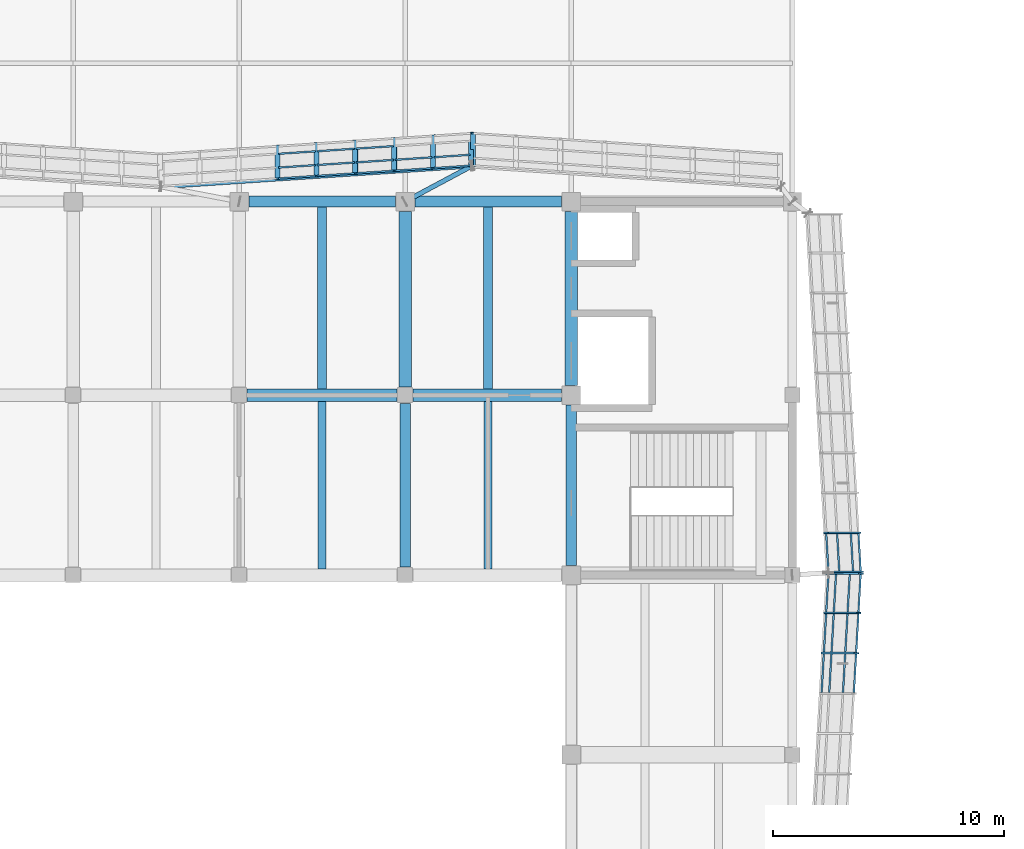
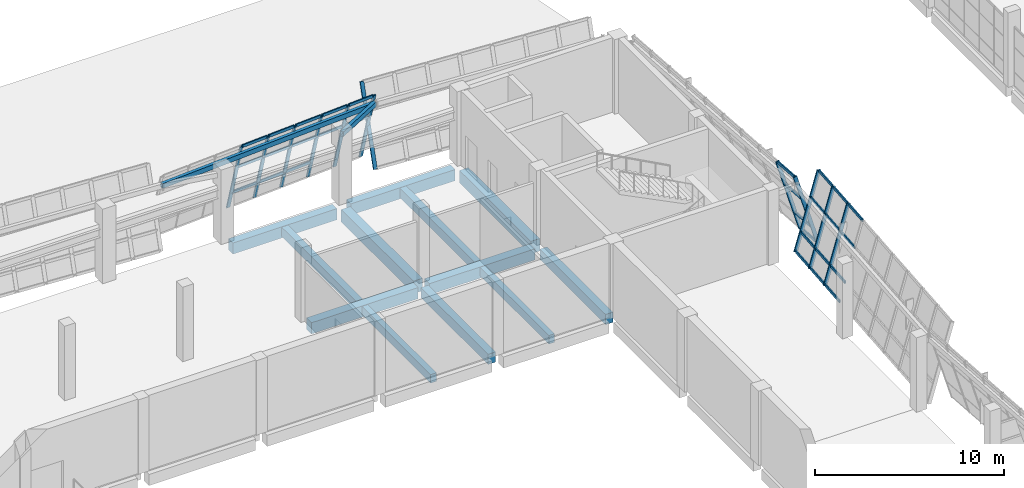
# One storey, part 29 of 79: 41 members, 14 beams, 4 elements without a shape of their own.
"""IFC4 building model written with IfcOpenShell, lengths in metres."""

from ifc_helpers import new_model, si_unit, direction, frame, origin, origin_2d, place, context, subcontext, project, spatial, rectangle, hollow_rectangle, extrude, material, material_profile, profile_set, type_object, element, aggregate, save


model = new_model("IFC4")

# Units and contexts
model_context = context("Model", 3, precision=1e-05, world=origin(), true_north=direction((0.0, 1.0)))
body_context = subcontext(model_context, "Body", "Model", "MODEL_VIEW")
ifc_project = project(units=[si_unit("LENGTHUNIT", "METRE"), si_unit("AREAUNIT", "SQUARE_METRE"), si_unit("VOLUMEUNIT", "CUBIC_METRE"), si_unit("PLANEANGLEUNIT", "RADIAN"), si_unit("MASSUNIT", "GRAM", prefix="KILO")], contexts=[model_context])

# Site, building, storey
site_placement = place(None, origin())
site = spatial("IfcSite", under=ifc_project, at=site_placement, CompositionType="ELEMENT")
building_placement = place(site_placement, origin())
building = spatial("IfcBuilding", under=site, at=building_placement, Name="Pellamere Symphony Hall", CompositionType="ELEMENT")
storey_placement = place(building_placement, frame((0.0, 0.0, 10.199951171875)))
storey = spatial("IfcBuildingStorey", under=building, at=storey_placement, Name="L02", CompositionType="ELEMENT", Elevation=10.199951171875)

# Curtain wall, members
ifc_material_1 = material(Name="Thermally Broken Anodised Aluminium 6063-T6 Curtain Wall", Category="aluminium")
curtain_wall_type = type_object("IfcCurtainWallType", Name="Curtain Wall CW-01 (Tilted Faceted Crystal Low-Iron Curtain Wall)", PredefinedType="NOTDEFINED", material=ifc_material_1)
curtain_wall_1_placement = place(storey_placement, origin())
curtain_wall_1 = element("IfcCurtainWall", 1, at=curtain_wall_1_placement, inside=storey, type_object=curtain_wall_type, Name="Crystal Faceted Curtain Wall CW-CR08 (L02)", PredefinedType="NOTDEFINED")
ifc_material_2 = material(Name="Anodised Architectural Aluminium 6063-T6", Category="aluminium")
ifc_material_profile_1 = material_profile(ifc_material_2, hollow_rectangle(XDim=0.074951171875, YDim=0.219970703125, WallThickness=0.0048828125, at=origin_2d()), Name="ALU-M75X220X5")
ifc_profile_set_1 = profile_set([ifc_material_profile_1], Name="Anodised Architectural Aluminium 6063-T6")
member_type_1 = type_object("IfcMemberType", Name="Curtain Wall Mullion ML-01 ALU-M75X220X5", PredefinedType="MULLION", material=ifc_profile_set_1)
member_1_placement = place(storey_placement, frame((120.14990234375, 74.01123046875, 0.0), z_axis=(0.284021911736, 0.0, 0.9588177896), x_axis=(-0.054873989333, -0.99836096977, 0.016254824977)))
member_1 = element("IfcMember", 2, at=member_1_placement, type_object=member_type_1, Name="CW1-014 crystal mullion 8", PredefinedType="MULLION", context=body_context, shape_type="SweptSolid", body=[
    extrude(hollow_rectangle(XDim=0.074951171875, YDim=0.219970703125, WallThickness=0.0048828125, at=origin_2d()), origin(), (0.0, 0.0, 1.0), 5.006103515625),
])
member_2_placement = place(storey_placement, frame((120.25, 75.755615234375, 0.0), z_axis=(0.284021911736, 0.0, 0.9588177896), x_axis=(-0.054873989333, -0.99836096977, 0.016254824977)))
member_2 = element("IfcMember", 3, at=member_2_placement, type_object=member_type_1, Name="CW1-014 crystal mullion 9", PredefinedType="MULLION", context=body_context, shape_type="SweptSolid", body=[
    extrude(hollow_rectangle(XDim=0.074951171875, YDim=0.219970703125, WallThickness=0.0048828125, at=origin_2d()), origin(), (0.0, 0.0, 1.0), 5.006103515625),
])
member_3_placement = place(storey_placement, frame((120.347900390625, 77.462646484375, 0.0), z_axis=(0.284021911736, 0.0, 0.9588177896), x_axis=(-0.054873989333, -0.99836096977, 0.016254824977)))
member_3 = element("IfcMember", 4, at=member_3_placement, type_object=member_type_1, Name="CW1-014 crystal mullion 10", PredefinedType="MULLION", context=body_context, shape_type="SweptSolid", body=[
    extrude(hollow_rectangle(XDim=0.074951171875, YDim=0.219970703125, WallThickness=0.0048828125, at=origin_2d()), origin(), (0.0, 0.0, 1.0), 5.006103515625),
])

curtain_wall_2_placement = place(storey_placement, origin())
curtain_wall_2 = element("IfcCurtainWall", 5, at=curtain_wall_2_placement, inside=storey, type_object=curtain_wall_type, Name="Crystal Faceted Curtain Wall CW-CR09 (L02)", PredefinedType="NOTDEFINED")
member_4_placement = place(storey_placement, frame((121.76953125, 77.537353515625, 0.0), z_axis=(-0.283977077304, 0.0, 0.958831069358), x_axis=(-0.055225347331, 0.998339941676, -0.016356095697)))
member_4 = element("IfcMember", 6, at=member_4_placement, type_object=member_type_1, Name="CW1-019 crystal mullion 1", PredefinedType="MULLION", context=body_context, shape_type="SweptSolid", body=[
    extrude(hollow_rectangle(XDim=0.074951171875, YDim=0.219970703125, WallThickness=0.0048828125, at=origin_2d()), origin(), (0.0, 0.0, 1.0), 5.006103515625),
])
member_5_placement = place(storey_placement, frame((121.671875, 79.2333984375, 0.0), z_axis=(-0.284021911736, 0.0, 0.9588177896), x_axis=(-0.055224582463, 0.998339941676, -0.016358678005)))
member_5 = element("IfcMember", 7, at=member_5_placement, type_object=member_type_1, Name="CW1-019 crystal mullion 2", PredefinedType="MULLION", context=body_context, shape_type="SweptSolid", body=[
    extrude(hollow_rectangle(XDim=0.074951171875, YDim=0.219970703125, WallThickness=0.0048828125, at=origin_2d()), origin(), (0.0, 0.0, 1.0), 5.006103515625),
])

# Curtain wall, member
curtain_wall_3_placement = place(storey_placement, origin())
curtain_wall_3 = element("IfcCurtainWall", 8, at=curtain_wall_3_placement, inside=storey, type_object=curtain_wall_type, Name="Crystal Faceted Curtain Wall CW-CR10 (L02)", PredefinedType="NOTDEFINED")
member_6_placement = place(storey_placement, frame((104.9375, 95.1474609375, 0.0), z_axis=(0.0, 0.284021911736, 0.9588177896), x_axis=(0.067013200006, 0.956662452506, -0.283383455745)))
member_6 = element("IfcMember", 9, at=member_6_placement, type_object=member_type_1, Name="CW1-022 crystal mullion 8", PredefinedType="MULLION", context=body_context, shape_type="SweptSolid", body=[
    extrude(hollow_rectangle(XDim=0.074951171875, YDim=0.219970703125, WallThickness=0.0048828125, at=origin_2d()), origin(), (0.0, 0.0, 1.0), 5.006103515625),
])
aggregate(curtain_wall_3, [member_6])

# Curtain wall, members
curtain_wall_4_placement = place(storey_placement, origin())
curtain_wall_4 = element("IfcCurtainWall", 10, at=curtain_wall_4_placement, inside=storey, type_object=curtain_wall_type, Name="Crystal Faceted Curtain Wall CW-CR11 (L02)", PredefinedType="NOTDEFINED")
member_7_placement = place(storey_placement, frame((104.862548828125, 96.5693359375, 0.0), z_axis=(0.0, -0.284021911736, 0.9588177896), x_axis=(0.066519010519, -0.956694159552, -0.283392848036)))
member_7 = element("IfcMember", 11, at=member_7_placement, type_object=member_type_1, Name="CW1-025 crystal mullion 1", PredefinedType="MULLION", context=body_context, shape_type="SweptSolid", body=[
    extrude(hollow_rectangle(XDim=0.074951171875, YDim=0.219970703125, WallThickness=0.0048828125, at=origin_2d()), origin(), (0.0, 0.0, 1.0), 5.006103515625),
])
member_8_placement = place(storey_placement, frame((103.21240234375, 96.459228515625, 0.0), z_axis=(0.0, -0.283977077304, 0.958831069358), x_axis=(0.066519010519, -0.956707409897, -0.283348112905)))
member_8 = element("IfcMember", 12, at=member_8_placement, type_object=member_type_1, Name="CW1-025 crystal mullion 2", PredefinedType="MULLION", context=body_context, shape_type="SweptSolid", body=[
    extrude(hollow_rectangle(XDim=0.074951171875, YDim=0.219970703125, WallThickness=0.0048828125, at=origin_2d()), origin(), (0.0, 0.0, 1.0), 5.006103515625),
])
member_9_placement = place(storey_placement, frame((101.52490234375, 96.3466796875, 0.0), z_axis=(0.0, -0.283977077304, 0.958831069358), x_axis=(0.066519010519, -0.956707409897, -0.283348112905)))
member_9 = element("IfcMember", 13, at=member_9_placement, type_object=member_type_1, Name="CW1-025 crystal mullion 3", PredefinedType="MULLION", context=body_context, shape_type="SweptSolid", body=[
    extrude(hollow_rectangle(XDim=0.074951171875, YDim=0.219970703125, WallThickness=0.0048828125, at=origin_2d()), origin(), (0.0, 0.0, 1.0), 5.006103515625),
])
member_10_placement = place(storey_placement, frame((99.83740234375, 96.234375, 0.0), z_axis=(0.0, -0.284021911736, 0.9588177896), x_axis=(0.066519010519, -0.956694159552, -0.283392848036)))
member_10 = element("IfcMember", 14, at=member_10_placement, type_object=member_type_1, Name="CW1-025 crystal mullion 4", PredefinedType="MULLION", context=body_context, shape_type="SweptSolid", body=[
    extrude(hollow_rectangle(XDim=0.074951171875, YDim=0.219970703125, WallThickness=0.0048828125, at=origin_2d()), origin(), (0.0, 0.0, 1.0), 5.006103515625),
])
member_11_placement = place(storey_placement, frame((98.14990234375, 96.121826171875, 0.0), z_axis=(0.0, -0.284021911736, 0.9588177896), x_axis=(0.066519010519, -0.956694159552, -0.283392848036)))
member_11 = element("IfcMember", 15, at=member_11_placement, type_object=member_type_1, Name="CW1-025 crystal mullion 5", PredefinedType="MULLION", context=body_context, shape_type="SweptSolid", body=[
    extrude(hollow_rectangle(XDim=0.074951171875, YDim=0.219970703125, WallThickness=0.0048828125, at=origin_2d()), origin(), (0.0, 0.0, 1.0), 5.006103515625),
])
member_12_placement = place(storey_placement, frame((96.46240234375, 96.00927734375, 0.0), z_axis=(0.0, -0.284021911736, 0.9588177896), x_axis=(0.066519010519, -0.956694159552, -0.283392848036)))
member_12 = element("IfcMember", 16, at=member_12_placement, type_object=member_type_1, Name="CW1-025 crystal mullion 6", PredefinedType="MULLION", context=body_context, shape_type="SweptSolid", body=[
    extrude(hollow_rectangle(XDim=0.074951171875, YDim=0.219970703125, WallThickness=0.0048828125, at=origin_2d()), origin(), (0.0, 0.0, 1.0), 5.006103515625),
])

# Member
ifc_material_profile_2 = material_profile(ifc_material_2, hollow_rectangle(XDim=0.074951171875, YDim=0.179931640625, WallThickness=0.0048828125, at=origin_2d()), Name="ALU-T75X180X5")
ifc_profile_set_2 = profile_set([ifc_material_profile_2], Name="Anodised Architectural Aluminium 6063-T6")
member_type_2 = type_object("IfcMemberType", Name="Curtain Wall Transom TR-01 ALU-T75X180X5", PredefinedType="USERDEFINED", material=ifc_profile_set_2)
member_13_placement = place(storey_placement, frame((120.062744140625, 72.30419921875, 0.035888671875), z_axis=(0.057232737422, 0.998360863499, 0.0), x_axis=(-0.998360863499, 0.057232737422, 0.0)))
member_13 = element("IfcMember", 17, at=member_13_placement, type_object=member_type_2, Name="CW1-014 crystal transom 7.1", ObjectType="TRANSOM", PredefinedType="USERDEFINED", context=body_context, shape_type="SweptSolid", body=[
    extrude(hollow_rectangle(XDim=0.074951171875, YDim=0.179931640625, WallThickness=0.0048828125, at=origin_2d()), origin(), (0.0, 0.0, 1.0), 1.672119140625),
])

member_14_placement = place(storey_placement, frame((120.393310546875, 72.30419921875, 1.152099609375), z_axis=(0.057232737422, 0.998360863499, 0.0), x_axis=(-0.998360863499, 0.057232737422, 0.0)))
member_14 = element("IfcMember", 18, at=member_14_placement, type_object=member_type_2, Name="CW1-014 crystal transom 7.2", ObjectType="TRANSOM", PredefinedType="USERDEFINED", context=body_context, shape_type="SweptSolid", body=[
    extrude(hollow_rectangle(XDim=0.074951171875, YDim=0.179931640625, WallThickness=0.0048828125, at=origin_2d()), origin(), (0.0, 0.0, 1.0), 1.672119140625),
])

member_15_placement = place(storey_placement, frame((120.990478515625, 72.30419921875, 3.16796875), z_axis=(0.057232737422, 0.998360863499, 0.0), x_axis=(-0.998360863499, 0.057232737422, 0.0)))
member_15 = element("IfcMember", 19, at=member_15_placement, type_object=member_type_2, Name="CW1-014 crystal transom 7.3", ObjectType="TRANSOM", PredefinedType="USERDEFINED", context=body_context, shape_type="SweptSolid", body=[
    extrude(hollow_rectangle(XDim=0.074951171875, YDim=0.179931640625, WallThickness=0.0048828125, at=origin_2d()), origin(), (0.0, 0.0, 1.0), 1.672119140625),
])

member_16_placement = place(storey_placement, frame((121.46337890625, 72.30419921875, 4.76416015625), z_axis=(0.057232737422, 0.998360863499, 0.0), x_axis=(-0.998360863499, 0.057232737422, 0.0)))
member_16 = element("IfcMember", 20, at=member_16_placement, type_object=member_type_2, Name="CW1-014 crystal transom 7.4", ObjectType="TRANSOM", PredefinedType="USERDEFINED", context=body_context, shape_type="SweptSolid", body=[
    extrude(hollow_rectangle(XDim=0.074951171875, YDim=0.179931640625, WallThickness=0.0048828125, at=origin_2d()), origin(), (0.0, 0.0, 1.0), 1.672119140625),
])

member_17_placement = place(storey_placement, frame((120.162841796875, 74.048583984375, 0.035888671875), z_axis=(0.057232737422, 0.998360863499, 0.0), x_axis=(-0.998360863499, 0.057232737422, 0.0)))
member_17 = element("IfcMember", 21, at=member_17_placement, type_object=member_type_2, Name="CW1-014 crystal transom 8.1", ObjectType="TRANSOM", PredefinedType="USERDEFINED", context=body_context, shape_type="SweptSolid", body=[
    extrude(hollow_rectangle(XDim=0.074951171875, YDim=0.179931640625, WallThickness=0.0048828125, at=origin_2d()), origin(), (0.0, 0.0, 1.0), 1.672119140625),
])

member_18_placement = place(storey_placement, frame((120.493408203125, 74.048583984375, 1.152099609375), z_axis=(0.057232737422, 0.998360863499, 0.0), x_axis=(-0.998360863499, 0.057232737422, 0.0)))
member_18 = element("IfcMember", 22, at=member_18_placement, type_object=member_type_2, Name="CW1-014 crystal transom 8.2", ObjectType="TRANSOM", PredefinedType="USERDEFINED", context=body_context, shape_type="SweptSolid", body=[
    extrude(hollow_rectangle(XDim=0.074951171875, YDim=0.179931640625, WallThickness=0.0048828125, at=origin_2d()), origin(), (0.0, 0.0, 1.0), 1.672119140625),
])

member_19_placement = place(storey_placement, frame((121.090576171875, 74.048583984375, 3.16796875), z_axis=(0.057232737422, 0.998360863499, 0.0), x_axis=(-0.998360863499, 0.057232737422, 0.0)))
member_19 = element("IfcMember", 23, at=member_19_placement, type_object=member_type_2, Name="CW1-014 crystal transom 8.3", ObjectType="TRANSOM", PredefinedType="USERDEFINED", context=body_context, shape_type="SweptSolid", body=[
    extrude(hollow_rectangle(XDim=0.074951171875, YDim=0.179931640625, WallThickness=0.0048828125, at=origin_2d()), origin(), (0.0, 0.0, 1.0), 1.672119140625),
])

member_20_placement = place(storey_placement, frame((121.563232421875, 74.048583984375, 4.76416015625), z_axis=(0.057232737422, 0.998360863499, 0.0), x_axis=(-0.998360863499, 0.057232737422, 0.0)))
member_20 = element("IfcMember", 24, at=member_20_placement, type_object=member_type_2, Name="CW1-014 crystal transom 8.4", ObjectType="TRANSOM", PredefinedType="USERDEFINED", context=body_context, shape_type="SweptSolid", body=[
    extrude(hollow_rectangle(XDim=0.074951171875, YDim=0.179931640625, WallThickness=0.0048828125, at=origin_2d()), origin(), (0.0, 0.0, 1.0), 1.672119140625),
])

member_21_placement = place(storey_placement, frame((120.2626953125, 75.79296875, 0.035888671875), z_axis=(0.057347500779, 0.998354277877, 0.0), x_axis=(-0.998354277877, 0.057347500779, 0.0)))
member_21 = element("IfcMember", 25, at=member_21_placement, type_object=member_type_2, Name="CW1-014 crystal transom 9.1", ObjectType="TRANSOM", PredefinedType="USERDEFINED", context=body_context, shape_type="SweptSolid", body=[
    extrude(hollow_rectangle(XDim=0.074951171875, YDim=0.179931640625, WallThickness=0.0048828125, at=origin_2d()), origin(), (0.0, 0.0, 1.0), 1.634765625),
])

member_22_placement = place(storey_placement, frame((120.59326171875, 75.79296875, 1.152099609375), z_axis=(0.057347500779, 0.998354277877, 0.0), x_axis=(-0.998354277877, 0.057347500779, 0.0)))
member_22 = element("IfcMember", 26, at=member_22_placement, type_object=member_type_2, Name="CW1-014 crystal transom 9.2", ObjectType="TRANSOM", PredefinedType="USERDEFINED", context=body_context, shape_type="SweptSolid", body=[
    extrude(hollow_rectangle(XDim=0.074951171875, YDim=0.179931640625, WallThickness=0.0048828125, at=origin_2d()), origin(), (0.0, 0.0, 1.0), 1.634765625),
])

member_23_placement = place(storey_placement, frame((121.1904296875, 75.79296875, 3.16796875), z_axis=(0.057347500779, 0.998354277877, 0.0), x_axis=(-0.998354277877, 0.057347500779, 0.0)))
member_23 = element("IfcMember", 27, at=member_23_placement, type_object=member_type_2, Name="CW1-014 crystal transom 9.3", ObjectType="TRANSOM", PredefinedType="USERDEFINED", context=body_context, shape_type="SweptSolid", body=[
    extrude(hollow_rectangle(XDim=0.074951171875, YDim=0.179931640625, WallThickness=0.0048828125, at=origin_2d()), origin(), (0.0, 0.0, 1.0), 1.634765625),
])

member_24_placement = place(storey_placement, frame((121.663330078125, 75.79296875, 4.76416015625), z_axis=(0.057198647566, 0.998362817175, 0.0), x_axis=(-0.998362817175, 0.057198647566, 0.0)))
member_24 = element("IfcMember", 28, at=member_24_placement, type_object=member_type_2, Name="CW1-014 crystal transom 9.4", ObjectType="TRANSOM", PredefinedType="USERDEFINED", context=body_context, shape_type="SweptSolid", body=[
    extrude(hollow_rectangle(XDim=0.074951171875, YDim=0.179931640625, WallThickness=0.0048828125, at=origin_2d()), origin(), (0.0, 0.0, 1.0), 1.634765625),
])

aggregate(curtain_wall_1, [member_1, member_2, member_3, member_13, member_14, member_15, member_16, member_17, member_18, member_19, member_20, member_21, member_22, member_23, member_24])

member_25_placement = place(storey_placement, frame((121.7568359375, 77.574951171875, 0.035888671875), z_axis=(-0.057593652861, 0.998340107954, 0.0), x_axis=(-0.998340107954, -0.057593652861, 0.0)))
member_25 = element("IfcMember", 29, at=member_25_placement, type_object=member_type_2, Name="CW1-019 crystal transom 1.1", ObjectType="TRANSOM", PredefinedType="USERDEFINED", context=body_context, shape_type="SweptSolid", body=[
    extrude(hollow_rectangle(XDim=0.074951171875, YDim=0.179931640625, WallThickness=0.0048828125, at=origin_2d()), origin(), (0.0, 0.0, 1.0), 1.62353515625),
])

member_26_placement = place(storey_placement, frame((121.42626953125, 77.574951171875, 1.152099609375), z_axis=(-0.057593652861, 0.998340107954, 0.0), x_axis=(-0.998340107954, -0.057593652861, 0.0)))
member_26 = element("IfcMember", 30, at=member_26_placement, type_object=member_type_2, Name="CW1-019 crystal transom 1.2", ObjectType="TRANSOM", PredefinedType="USERDEFINED", context=body_context, shape_type="SweptSolid", body=[
    extrude(hollow_rectangle(XDim=0.074951171875, YDim=0.179931640625, WallThickness=0.0048828125, at=origin_2d()), origin(), (0.0, 0.0, 1.0), 1.62353515625),
])

member_27_placement = place(storey_placement, frame((120.8291015625, 77.574951171875, 3.16796875), z_axis=(-0.057593652861, 0.998340107954, 0.0), x_axis=(-0.998340107954, -0.057593652861, 0.0)))
member_27 = element("IfcMember", 31, at=member_27_placement, type_object=member_type_2, Name="CW1-019 crystal transom 1.3", ObjectType="TRANSOM", PredefinedType="USERDEFINED", context=body_context, shape_type="SweptSolid", body=[
    extrude(hollow_rectangle(XDim=0.074951171875, YDim=0.179931640625, WallThickness=0.0048828125, at=origin_2d()), origin(), (0.0, 0.0, 1.0), 1.62353515625),
])

member_28_placement = place(storey_placement, frame((120.3564453125, 77.574951171875, 4.76416015625), z_axis=(-0.057743527187, 0.998331450505, 0.0), x_axis=(-0.998331450505, -0.057743527187, 0.0)))
member_28 = element("IfcMember", 32, at=member_28_placement, type_object=member_type_2, Name="CW1-019 crystal transom 1.4", ObjectType="TRANSOM", PredefinedType="USERDEFINED", context=body_context, shape_type="SweptSolid", body=[
    extrude(hollow_rectangle(XDim=0.074951171875, YDim=0.179931640625, WallThickness=0.0048828125, at=origin_2d()), origin(), (0.0, 0.0, 1.0), 1.62353515625),
])

aggregate(curtain_wall_2, [member_4, member_5, member_25, member_26, member_27, member_28])

member_29_placement = place(storey_placement, frame((104.8251953125, 95.62841796875, 3.16796875), z_axis=(-0.997786526209, -0.066498482063, 0.0), x_axis=(0.066498482063, -0.997786526209, 0.0)))
member_29 = element("IfcMember", 33, at=member_29_placement, type_object=member_type_2, Name="CW1-025 crystal transom 1.3", ObjectType="TRANSOM", PredefinedType="USERDEFINED", context=body_context, shape_type="SweptSolid", body=[
    extrude(hollow_rectangle(XDim=0.074951171875, YDim=0.179931640625, WallThickness=0.0048828125, at=origin_2d()), origin(), (0.0, 0.0, 1.0), 1.57861328125),
])

member_30_placement = place(storey_placement, frame((104.8251953125, 95.15576171875, 4.76416015625), z_axis=(-0.997776253366, -0.06665244346, 0.0), x_axis=(0.06665244346, -0.997776253366, 0.0)))
member_30 = element("IfcMember", 34, at=member_30_placement, type_object=member_type_2, Name="CW1-025 crystal transom 1.4", ObjectType="TRANSOM", PredefinedType="USERDEFINED", context=body_context, shape_type="SweptSolid", body=[
    extrude(hollow_rectangle(XDim=0.074951171875, YDim=0.179931640625, WallThickness=0.0048828125, at=origin_2d()), origin(), (0.0, 0.0, 1.0), 1.57861328125),
])

member_31_placement = place(storey_placement, frame((103.175048828125, 95.518310546875, 3.16796875), z_axis=(-0.997788498757, -0.06646887804, 0.0), x_axis=(0.06646887804, -0.997788498757, 0.0)))
member_31 = element("IfcMember", 35, at=member_31_placement, type_object=member_type_2, Name="CW1-025 crystal transom 2.3", ObjectType="TRANSOM", PredefinedType="USERDEFINED", context=body_context, shape_type="SweptSolid", body=[
    extrude(hollow_rectangle(XDim=0.074951171875, YDim=0.179931640625, WallThickness=0.0048828125, at=origin_2d()), origin(), (0.0, 0.0, 1.0), 1.6162109375),
])

member_32_placement = place(storey_placement, frame((103.175048828125, 95.045654296875, 4.76416015625), z_axis=(-0.997788498757, -0.06646887804, 0.0), x_axis=(0.06646887804, -0.997788498757, 0.0)))
member_32 = element("IfcMember", 36, at=member_32_placement, type_object=member_type_2, Name="CW1-025 crystal transom 2.4", ObjectType="TRANSOM", PredefinedType="USERDEFINED", context=body_context, shape_type="SweptSolid", body=[
    extrude(hollow_rectangle(XDim=0.074951171875, YDim=0.179931640625, WallThickness=0.0048828125, at=origin_2d()), origin(), (0.0, 0.0, 1.0), 1.6162109375),
])

member_33_placement = place(storey_placement, frame((101.487548828125, 96.003173828125, 1.152099609375), z_axis=(-0.997778468566, -0.06661927398, 0.0), x_axis=(0.06661927398, -0.997778468566, 0.0)))
member_33 = element("IfcMember", 37, at=member_33_placement, type_object=member_type_2, Name="CW1-025 crystal transom 3.2", ObjectType="TRANSOM", PredefinedType="USERDEFINED", context=body_context, shape_type="SweptSolid", body=[
    extrude(hollow_rectangle(XDim=0.074951171875, YDim=0.179931640625, WallThickness=0.0048828125, at=origin_2d()), origin(), (0.0, 0.0, 1.0), 1.6162109375),
])

member_34_placement = place(storey_placement, frame((101.487548828125, 95.406005859375, 3.16796875), z_axis=(-0.997778468566, -0.06661927398, 0.0), x_axis=(0.06661927398, -0.997778468566, 0.0)))
member_34 = element("IfcMember", 38, at=member_34_placement, type_object=member_type_2, Name="CW1-025 crystal transom 3.3", ObjectType="TRANSOM", PredefinedType="USERDEFINED", context=body_context, shape_type="SweptSolid", body=[
    extrude(hollow_rectangle(XDim=0.074951171875, YDim=0.179931640625, WallThickness=0.0048828125, at=origin_2d()), origin(), (0.0, 0.0, 1.0), 1.6162109375),
])

member_35_placement = place(storey_placement, frame((101.487548828125, 94.93310546875, 4.76416015625), z_axis=(-0.997788498757, -0.06646887804, 0.0), x_axis=(0.06646887804, -0.997788498757, 0.0)))
member_35 = element("IfcMember", 39, at=member_35_placement, type_object=member_type_2, Name="CW1-025 crystal transom 3.4", ObjectType="TRANSOM", PredefinedType="USERDEFINED", context=body_context, shape_type="SweptSolid", body=[
    extrude(hollow_rectangle(XDim=0.074951171875, YDim=0.179931640625, WallThickness=0.0048828125, at=origin_2d()), origin(), (0.0, 0.0, 1.0), 1.6162109375),
])

member_36_placement = place(storey_placement, frame((99.800048828125, 95.890625, 1.152099609375), z_axis=(-0.997778468566, -0.06661927398, 0.0), x_axis=(0.06661927398, -0.997778468566, 0.0)))
member_36 = element("IfcMember", 40, at=member_36_placement, type_object=member_type_2, Name="CW1-025 crystal transom 4.2", ObjectType="TRANSOM", PredefinedType="USERDEFINED", context=body_context, shape_type="SweptSolid", body=[
    extrude(hollow_rectangle(XDim=0.074951171875, YDim=0.179931640625, WallThickness=0.0048828125, at=origin_2d()), origin(), (0.0, 0.0, 1.0), 1.6162109375),
])

member_37_placement = place(storey_placement, frame((99.800048828125, 95.29345703125, 3.16796875), z_axis=(-0.997778468566, -0.06661927398, 0.0), x_axis=(0.06661927398, -0.997778468566, 0.0)))
member_37 = element("IfcMember", 41, at=member_37_placement, type_object=member_type_2, Name="CW1-025 crystal transom 4.3", ObjectType="TRANSOM", PredefinedType="USERDEFINED", context=body_context, shape_type="SweptSolid", body=[
    extrude(hollow_rectangle(XDim=0.074951171875, YDim=0.179931640625, WallThickness=0.0048828125, at=origin_2d()), origin(), (0.0, 0.0, 1.0), 1.6162109375),
])

member_38_placement = place(storey_placement, frame((99.800048828125, 94.820556640625, 4.76416015625), z_axis=(-0.997788498757, -0.06646887804, 0.0), x_axis=(0.06646887804, -0.997788498757, 0.0)))
member_38 = element("IfcMember", 42, at=member_38_placement, type_object=member_type_2, Name="CW1-025 crystal transom 4.4", ObjectType="TRANSOM", PredefinedType="USERDEFINED", context=body_context, shape_type="SweptSolid", body=[
    extrude(hollow_rectangle(XDim=0.074951171875, YDim=0.179931640625, WallThickness=0.0048828125, at=origin_2d()), origin(), (0.0, 0.0, 1.0), 1.6162109375),
])

member_39_placement = place(storey_placement, frame((98.112548828125, 95.778076171875, 1.152099609375), z_axis=(-0.997788498757, -0.06646887804, 0.0), x_axis=(0.06646887804, -0.997788498757, 0.0)))
member_39 = element("IfcMember", 43, at=member_39_placement, type_object=member_type_2, Name="CW1-025 crystal transom 5.2", ObjectType="TRANSOM", PredefinedType="USERDEFINED", context=body_context, shape_type="SweptSolid", body=[
    extrude(hollow_rectangle(XDim=0.074951171875, YDim=0.179931640625, WallThickness=0.0048828125, at=origin_2d()), origin(), (0.0, 0.0, 1.0), 1.6162109375),
])

member_40_placement = place(storey_placement, frame((98.112548828125, 95.180908203125, 3.16796875), z_axis=(-0.997788498757, -0.06646887804, 0.0), x_axis=(0.06646887804, -0.997788498757, 0.0)))
member_40 = element("IfcMember", 44, at=member_40_placement, type_object=member_type_2, Name="CW1-025 crystal transom 5.3", ObjectType="TRANSOM", PredefinedType="USERDEFINED", context=body_context, shape_type="SweptSolid", body=[
    extrude(hollow_rectangle(XDim=0.074951171875, YDim=0.179931640625, WallThickness=0.0048828125, at=origin_2d()), origin(), (0.0, 0.0, 1.0), 1.6162109375),
])

member_41_placement = place(storey_placement, frame((98.112548828125, 94.708251953125, 4.76416015625), z_axis=(-0.997778468566, -0.06661927398, 0.0), x_axis=(0.06661927398, -0.997778468566, 0.0)))
member_41 = element("IfcMember", 45, at=member_41_placement, type_object=member_type_2, Name="CW1-025 crystal transom 5.4", ObjectType="TRANSOM", PredefinedType="USERDEFINED", context=body_context, shape_type="SweptSolid", body=[
    extrude(hollow_rectangle(XDim=0.074951171875, YDim=0.179931640625, WallThickness=0.0048828125, at=origin_2d()), origin(), (0.0, 0.0, 1.0), 1.6162109375),
])

aggregate(curtain_wall_4, [member_7, member_8, member_9, member_10, member_11, member_12, member_29, member_30, member_31, member_32, member_33, member_34, member_35, member_36, member_37, member_38, member_39, member_40, member_41])

# Beams
ifc_material_3 = material(Name="Concrete 40 MPa", Category="concrete")
ifc_material_profile_3 = material_profile(ifc_material_3, rectangle(XDim=0.550048828125, YDim=0.800048828125, at=origin_2d()), Name="RC 550x800")
ifc_profile_set_3 = profile_set([ifc_material_profile_3], Name="Concrete 40 MPa")
beam_type_1 = type_object("IfcBeamType", Name="RC CB-05 550x800", PredefinedType="BEAM", material=ifc_profile_set_3)
beam_1_placement = place(storey_placement, frame((102.0, 85.550048828125, -0.679931640625), z_axis=(0.0, 1.0, 0.0), x_axis=(-1.0, 0.0, 0.0)))
element("IfcBeam", 46, at=beam_1_placement, inside=storey, type_object=beam_type_1, Name="Girder CB-05-Y1309 (L02)", PredefinedType="BEAM", context=body_context, shape_type="SweptSolid", body=[
    extrude(rectangle(XDim=0.550048828125, YDim=0.800048828125, at=origin_2d()), origin(), (0.0, 0.0, 1.0), 7.625),
])
beam_2_placement = place(storey_placement, frame((109.199951171875, 85.625, -0.679931640625), z_axis=(0.0, 1.0, 0.0), x_axis=(-1.0, 0.0, 0.0)))
element("IfcBeam", 47, at=beam_2_placement, inside=storey, type_object=beam_type_1, Name="Girder CB-05-Y1322 (L02)", PredefinedType="BEAM", context=body_context, shape_type="SweptSolid", body=[
    extrude(rectangle(XDim=0.550048828125, YDim=0.800048828125, at=origin_2d()), origin(), (0.0, 0.0, 1.0), 7.550048828125),
])
ifc_material_profile_4 = material_profile(ifc_material_3, rectangle(XDim=0.449951171875, YDim=0.64990234375, at=origin_2d()), Name="RC 450x650")
ifc_profile_set_4 = profile_set([ifc_material_profile_4], Name="Concrete 40 MPa")
beam_type_2 = type_object("IfcBeamType", Name="RC CB-08 450x650", PredefinedType="BEAM", material=ifc_profile_set_4)
beam_3_placement = place(storey_placement, frame((102.0, 77.75, -0.60498046875), z_axis=(0.0, 1.0, 0.0), x_axis=(-1.0, 0.0, 0.0)))
element("IfcBeam", 48, at=beam_3_placement, inside=storey, type_object=beam_type_2, Name="Girder CB-08-Y1308 (L02)", PredefinedType="BEAM", context=body_context, shape_type="SweptSolid", body=[
    extrude(rectangle(XDim=0.449951171875, YDim=0.64990234375, at=origin_2d()), origin(), (0.0, 0.0, 1.0), 7.10009765625),
])
beam_4_placement = place(storey_placement, frame((109.199951171875, 77.824951171875, -0.60498046875), z_axis=(0.0, 1.0, 0.0), x_axis=(-1.0, 0.0, 0.0)))
element("IfcBeam", 49, at=beam_4_placement, inside=storey, type_object=beam_type_2, Name="Girder CB-08-Y1321 (L02)", PredefinedType="BEAM", context=body_context, shape_type="SweptSolid", body=[
    extrude(rectangle(XDim=0.449951171875, YDim=0.64990234375, at=origin_2d()), origin(), (0.0, 0.0, 1.0), 6.949951171875),
])
ifc_material_profile_5 = material_profile(ifc_material_3, rectangle(XDim=0.39990234375, YDim=0.60009765625, at=origin_2d()), Name="RC 400x600")
ifc_profile_set_5 = profile_set([ifc_material_profile_5], Name="Concrete 40 MPa")
beam_type_3 = type_object("IfcBeamType", Name="RC CB-09 400x600", PredefinedType="BEAM", material=ifc_profile_set_5)
for number, where, z_axis, x_axis, name in (
    (50, (98.39990234375, 85.469970703125, -0.594970703125), (0.0, 1.0, 0.0), (-1.0, 0.0, 0.0), "Secondary Floor Beam CB-09-M1211 (L02)"),
    (51, (105.60009765625, 85.469970703125, -0.594970703125), (0.0, 1.0, 0.0), (-1.0, 0.0, 0.0), "Secondary Floor Beam CB-09-M1311 (L02)"),
):
    element("IfcBeam", number, at=place(storey_placement, frame(where, z_axis=z_axis, x_axis=x_axis)), inside=storey, type_object=beam_type_3, Name=name, PredefinedType="BEAM", context=body_context, shape_type="SweptSolid", body=[
        extrude(rectangle(XDim=0.39990234375, YDim=0.60009765625, at=origin_2d()), origin(), (0.0, 0.0, 1.0), 7.89013671875),
    ])
ifc_material_4 = material(Name="Concrete 35 MPa", Category="concrete")
ifc_material_profile_6 = material_profile(ifc_material_4, rectangle(XDim=0.35009765625, YDim=0.550048828125, at=origin_2d()), Name="RC 350x550")
ifc_profile_set_6 = profile_set([ifc_material_profile_6], Name="Concrete 35 MPa")
beam_type_4 = type_object("IfcBeamType", Name="RC CB-10 350x550", PredefinedType="BEAM", material=ifc_profile_set_6)
for number, where, z_axis, x_axis, name in (
    (52, (98.39990234375, 77.669921875, -0.570068359375), (0.0, 1.0, 0.0), (-1.0, 0.0, 0.0), "Secondary Floor Beam CB-10-M1210 (L02)"),
    (53, (105.60009765625, 77.669921875, -0.570068359375), (0.0, 1.0, 0.0), (-1.0, 0.0, 0.0), "Secondary Floor Beam CB-10-M1310 (L02)"),
):
    element("IfcBeam", number, at=place(storey_placement, frame(where, z_axis=z_axis, x_axis=x_axis)), inside=storey, type_object=beam_type_4, Name=name, PredefinedType="BEAM", context=body_context, shape_type="SweptSolid", body=[
        extrude(rectangle(XDim=0.35009765625, YDim=0.550048828125, at=origin_2d()), origin(), (0.0, 0.0, 1.0), 7.260009765625),
    ])
ifc_material_profile_7 = material_profile(ifc_material_3, rectangle(XDim=0.47998046875, YDim=0.719970703125, at=origin_2d()), Name="RC 480x720")
ifc_profile_set_7 = profile_set([ifc_material_profile_7], Name="Concrete 40 MPa")
beam_type_5 = type_object("IfcBeamType", Name="RC CB-14 480x720", PredefinedType="SPANDREL", material=ifc_profile_set_7)
for number, where, z_axis, x_axis, name in (
    (54, (95.22509765625, 93.60009765625, -0.639892578125), (1.0, 0.0, 0.0), (0.0, 1.0, 0.0), "Girder CB-14-X1183 (L02)"),
    (55, (102.425048828125, 93.60009765625, -0.639892578125), (1.0, 0.0, 0.0), (0.0, 1.0, 0.0), "Girder CB-14-X1184 (L02)"),
):
    element("IfcBeam", number, at=place(storey_placement, frame(where, z_axis=z_axis, x_axis=x_axis)), inside=storey, type_object=beam_type_5, Name=name, PredefinedType="SPANDREL", context=body_context, shape_type="SweptSolid", body=[
        extrude(rectangle(XDim=0.47998046875, YDim=0.719970703125, at=origin_2d()), origin(), (0.0, 0.0, 1.0), 6.349853515625),
    ])
ifc_material_profile_8 = material_profile(ifc_material_3, rectangle(XDim=0.5400390625, YDim=0.719970703125, at=origin_2d()), Name="RC 540x720")
ifc_profile_set_8 = profile_set([ifc_material_profile_8], Name="Concrete 40 MPa")
beam_type_6 = type_object("IfcBeamType", Name="RC CB-24 540x720", PredefinedType="BEAM", material=ifc_profile_set_8)
beam_5_placement = place(storey_placement, frame((95.14990234375, 85.199951171875, -0.639892578125), z_axis=(1.0, 0.0, 0.0), x_axis=(0.0, 1.0, 0.0)))
element("IfcBeam", 56, at=beam_5_placement, inside=storey, type_object=beam_type_6, Name="Girder CB-24-X1171 (L02)", PredefinedType="BEAM", context=body_context, shape_type="SweptSolid", body=[
    extrude(rectangle(XDim=0.5400390625, YDim=0.719970703125, at=origin_2d()), origin(), (0.0, 0.0, 1.0), 6.5),
])
beam_6_placement = place(storey_placement, frame((102.35009765625, 85.199951171875, -0.639892578125), z_axis=(1.0, 0.0, 0.0), x_axis=(0.0, 1.0, 0.0)))
element("IfcBeam", 57, at=beam_6_placement, inside=storey, type_object=beam_type_6, Name="Girder CB-24-X1172 (L02)", PredefinedType="BEAM", context=body_context, shape_type="SweptSolid", body=[
    extrude(rectangle(XDim=0.5400390625, YDim=0.719970703125, at=origin_2d()), origin(), (0.0, 0.0, 1.0), 6.4248046875),
])
ifc_material_5 = material(Name="Steel CSA G40.21 350W", Category="steel")
ifc_material_profile_9 = material_profile(ifc_material_5, hollow_rectangle(XDim=0.203125, YDim=0.3046875, WallThickness=0.0126953125, at=origin_2d()), Name="HSS305X203X13")
ifc_profile_set_9 = profile_set([ifc_material_profile_9], Name="Steel CSA G40.21 350W")
beam_type_7 = type_object("IfcBeamType", Name="Steel Spandrel SB-26 HSS305X203X13", PredefinedType="SPANDREL", material=ifc_profile_set_9)
beam_7_placement = place(storey_placement, frame((102.0, 93.60009765625, 4.239990234375), z_axis=(0.881949762875, 0.471343415956, 0.0), x_axis=(-0.471343415956, 0.881949762875, 0.0)))
element("IfcBeam", 58, at=beam_7_placement, inside=storey, type_object=beam_type_7, Name="Crystal Ring Outrigger Bracket 050 (L02)", PredefinedType="SPANDREL", context=body_context, shape_type="SweptSolid", body=[
    extrude(hollow_rectangle(XDim=0.203125, YDim=0.3046875, WallThickness=0.0126953125, at=origin_2d()), origin(), (0.0, 0.0, 1.0), 3.2880859375),
])
beam_8_placement = place(storey_placement, frame((104.89990234375, 95.14990234375, 4.239990234375), z_axis=(-0.997785636887, -0.066511824681, 0.0), x_axis=(0.066511824681, -0.997785636887, 0.0)))
element("IfcBeam", 59, at=beam_8_placement, inside=storey, type_object=beam_type_7, Name="Crystal Perimeter Ring Beam CW-CR11 (L02)", PredefinedType="SPANDREL", context=body_context, shape_type="SweptSolid", body=[
    extrude(hollow_rectangle(XDim=0.203125, YDim=0.3046875, WallThickness=0.0126953125, at=origin_2d()), origin(), (0.0, 0.0, 1.0), 13.530029296875),
])

save(model, "model.ifc")
